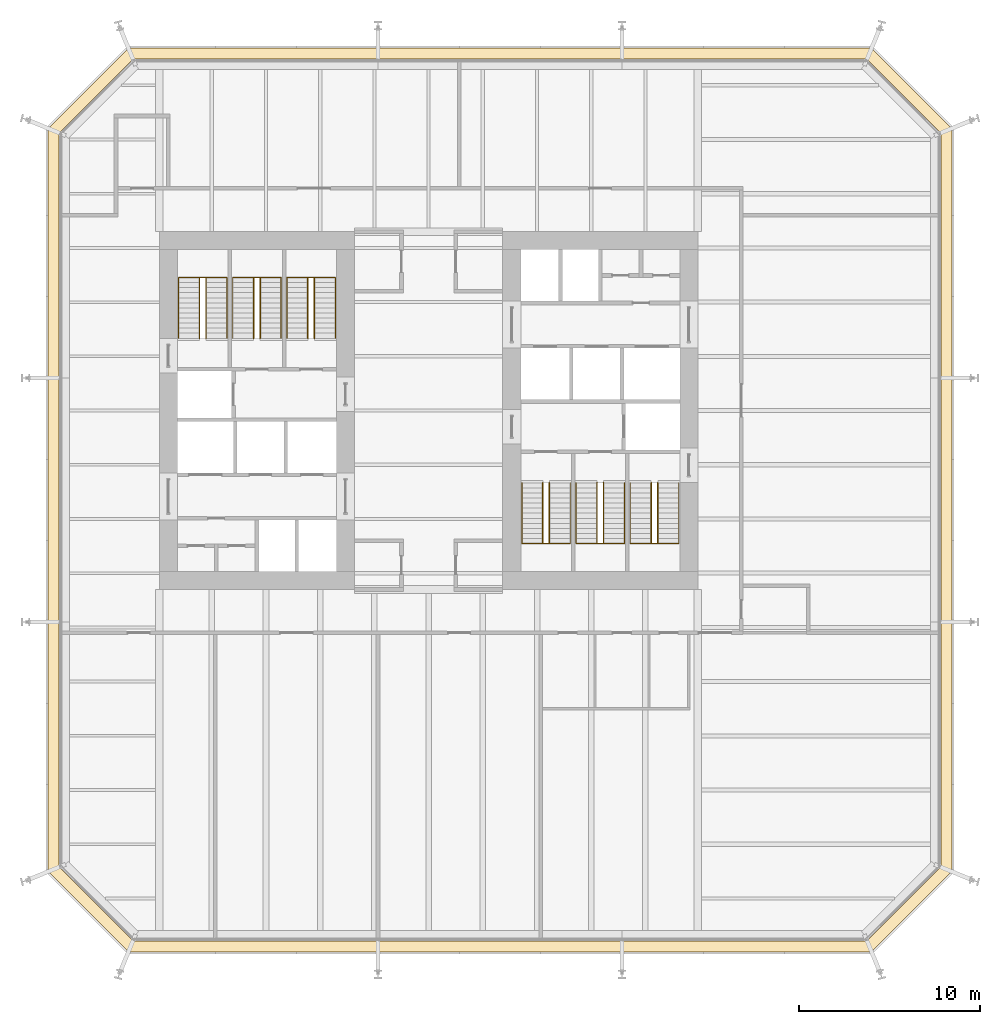
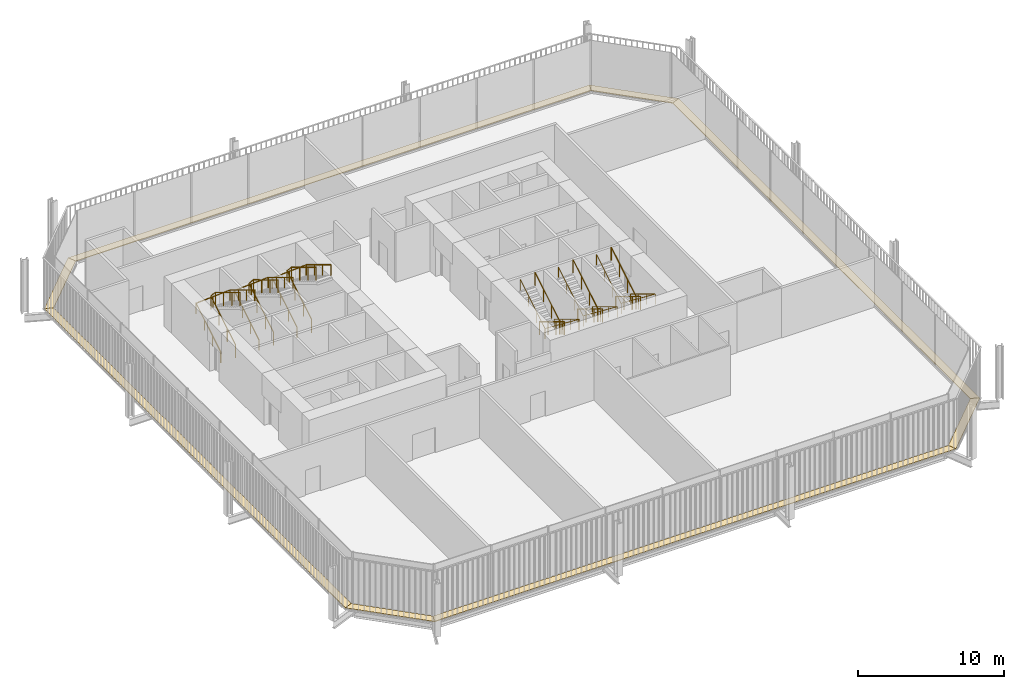
# One storey, part 20 of 20: 12 railings, 8 coverings.
"""IFC4 building model written with IfcOpenShell, lengths in metres."""

from ifc_helpers import new_model, si_unit, direction, frame, origin, origin_2d, place, context, subcontext, project, spatial, polyline, circle, outline, extrude, material, layer, layer_set, type_object, element, save


model = new_model("IFC4")

# Units and contexts
model_context = context("Model", 3, precision=1e-05, world=origin(), true_north=direction((0.0, 1.0)))
body_context = subcontext(model_context, "Body", "Model", "MODEL_VIEW")
ifc_project = project(units=[si_unit("LENGTHUNIT", "METRE"), si_unit("AREAUNIT", "SQUARE_METRE"), si_unit("VOLUMEUNIT", "CUBIC_METRE"), si_unit("PLANEANGLEUNIT", "RADIAN"), si_unit("MASSUNIT", "GRAM", prefix="KILO")], contexts=[model_context])

# Site, building, storey
site_placement = place(None, origin())
site = spatial("IfcSite", under=ifc_project, at=site_placement, CompositionType="ELEMENT")
building_placement = place(site_placement, origin())
building = spatial("IfcBuilding", under=site, at=building_placement, Name="Millrace Tower", CompositionType="ELEMENT")
storey_placement = place(building_placement, frame((0.0, 0.0, 108.39990234375)))
storey = spatial("IfcBuildingStorey", under=building, at=storey_placement, Name="L24", CompositionType="ELEMENT", Elevation=108.39990234375)

# Coverings
ifc_material_1 = material(Name="Steel ASTM A36", Category="steel")
ifc_layer = layer(ifc_material_1, 0.050048828125)
ifc_layer_set = layer_set([ifc_layer], Name="Steel ASTM A36")
covering_type = type_object("IfcCoveringType", Name="CAVITY CATWALK steel grating", PredefinedType="FLOORING", material=ifc_layer_set)
placement = place(storey_placement, frame((0.0, 0.0, 0.10009765625)))
element("IfcCovering", 1, at=placement, inside=storey, type_object=covering_type, Name="Cavity catwalk grating B-F01 L24 1", PredefinedType="FLOORING", context=body_context, shape_type="SweptSolid", body=[
    extrude(outline(polyline([(-21.050048828125, -25.5107421875), (-16.610595703125, -29.949951171875), (-16.362060546875, -29.35009765625), (-20.449951171875, -25.26220703125), (-21.050048828125, -25.5107421875)])), origin(), (0.0, 0.0, 1.0), 0.050048828125),
])
element("IfcCovering", 2, at=placement, inside=storey, type_object=covering_type, Name="Cavity catwalk grating B-F02 L24 1", PredefinedType="FLOORING", context=body_context, shape_type="SweptSolid", body=[
    extrude(outline(polyline([(-16.610595703125, -29.949951171875), (24.5107421875, -29.949951171875), (24.26220703125, -29.35009765625), (-16.362060546875, -29.35009765625), (-16.610595703125, -29.949951171875)])), origin(), (0.0, 0.0, 1.0), 0.050048828125),
])
element("IfcCovering", 3, at=placement, inside=storey, type_object=covering_type, Name="Cavity catwalk grating B-F03 L24 1", PredefinedType="FLOORING", context=body_context, shape_type="SweptSolid", body=[
    extrude(outline(polyline([(24.5107421875, -29.949951171875), (28.949951171875, -25.5107421875), (28.35009765625, -25.26220703125), (24.26220703125, -29.35009765625), (24.5107421875, -29.949951171875)])), origin(), (0.0, 0.0, 1.0), 0.050048828125),
])
element("IfcCovering", 4, at=placement, inside=storey, type_object=covering_type, Name="Cavity catwalk grating B-F04 L24 1", PredefinedType="FLOORING", context=body_context, shape_type="SweptSolid", body=[
    extrude(outline(polyline([(28.949951171875, -25.5107421875), (28.949951171875, 15.610595703125), (28.35009765625, 15.362060546875), (28.35009765625, -25.26220703125), (28.949951171875, -25.5107421875)])), origin(), (0.0, 0.0, 1.0), 0.050048828125),
])
element("IfcCovering", 5, at=placement, inside=storey, type_object=covering_type, Name="Cavity catwalk grating B-F05 L24 1", PredefinedType="FLOORING", context=body_context, shape_type="SweptSolid", body=[
    extrude(outline(polyline([(28.949951171875, 15.610595703125), (24.5107421875, 20.050048828125), (24.26220703125, 19.449951171875), (28.35009765625, 15.362060546875), (28.949951171875, 15.610595703125)])), origin(), (0.0, 0.0, 1.0), 0.050048828125),
])
element("IfcCovering", 6, at=placement, inside=storey, type_object=covering_type, Name="Cavity catwalk grating B-F06 L24 1", PredefinedType="FLOORING", context=body_context, shape_type="SweptSolid", body=[
    extrude(outline(polyline([(24.5107421875, 20.050048828125), (-16.610595703125, 20.050048828125), (-16.362060546875, 19.449951171875), (24.26220703125, 19.449951171875), (24.5107421875, 20.050048828125)])), origin(), (0.0, 0.0, 1.0), 0.050048828125),
])
element("IfcCovering", 7, at=placement, inside=storey, type_object=covering_type, Name="Cavity catwalk grating B-F07 L24 1", PredefinedType="FLOORING", context=body_context, shape_type="SweptSolid", body=[
    extrude(outline(polyline([(-16.610595703125, 20.050048828125), (-21.050048828125, 15.610595703125), (-20.449951171875, 15.362060546875), (-16.362060546875, 19.449951171875), (-16.610595703125, 20.050048828125)])), origin(), (0.0, 0.0, 1.0), 0.050048828125),
])
element("IfcCovering", 8, at=placement, inside=storey, type_object=covering_type, Name="Cavity catwalk grating B-F08 L24 1", PredefinedType="FLOORING", context=body_context, shape_type="SweptSolid", body=[
    extrude(outline(polyline([(-21.050048828125, 15.610595703125), (-21.050048828125, -25.5107421875), (-20.449951171875, -25.26220703125), (-20.449951171875, 15.362060546875), (-21.050048828125, 15.610595703125)])), origin(), (0.0, 0.0, 1.0), 0.050048828125),
])

# Railings
ifc_material_2 = material(Name="Stainless steel ASTM A240 type 316", Category="steel")
railing_type_1 = type_object("IfcRailingType", Name="Stair guard 1100", PredefinedType="GUARDRAIL", material=ifc_material_2)
for number, where, name in (
    (9, (-12.679931640625, 4.0, 0.169189453125), "Stair guard 1 W L24"),
    (10, (-9.679931640625, 4.0, 0.169189453125), "Stair guard 2 W L24"),
    (11, (-6.679931640625, 4.0, 0.169189453125), "Stair guard 3 W L24"),
):
    element("IfcRailing", number, at=place(storey_placement, frame(where)), inside=storey, type_object=railing_type_1, Name=name, PredefinedType="GUARDRAIL", context=body_context, shape_type="SweptSolid", body=[
        extrude(circle(Radius=0.02392578125, at=origin_2d()), frame((0.0, 0.0, 1.076171875), z_axis=(0.0, 0.855809448938, 0.517291201461), x_axis=(-1.0, 0.0, 0.0)), (0.0, 0.0, 1.0), 3.92626953125),
        extrude(circle(Radius=0.02392578125, at=origin_2d()), frame((0.0, 3.360107421875, 3.10693359375), z_axis=(0.904971698027, 0.0, 0.425471768475), x_axis=(0.0, 1.0, 0.0)), (0.0, 0.0, 1.0), 0.397705078125),
        extrude(circle(Radius=0.02392578125, at=origin_2d()), frame((0.35986328125, 3.360107421875, 3.2763671875), z_axis=(0.0, -0.855836976705, 0.517245656632), x_axis=(1.0, 0.0, 0.0)), (0.0, 0.0, 1.0), 3.926025390625),
        extrude(circle(Radius=0.02099609375, at=origin_2d()), origin(), (0.0, 0.0, 1.0), 1.052001953125),
        extrude(circle(Radius=0.02099609375, at=origin_2d()), frame((0.0, 1.1201171875, 0.677001953125)), (0.0, 0.0, 1.0), 1.052001953125),
        extrude(circle(Radius=0.02099609375, at=origin_2d()), frame((0.0, 2.239990234375, 1.35400390625)), (0.0, 0.0, 1.0), 1.052001953125),
        extrude(circle(Radius=0.02099609375, at=origin_2d()), frame((0.0, 3.360107421875, 2.031005859375)), (0.0, 0.0, 1.0), 1.052001953125),
        extrude(circle(Radius=0.02099609375, at=origin_2d()), frame((0.35986328125, 3.360107421875, 2.2001953125)), (0.0, 0.0, 1.0), 1.052001953125),
        extrude(circle(Radius=0.02099609375, at=origin_2d()), frame((0.35986328125, 2.239990234375, 2.877197265625)), (0.0, 0.0, 1.0), 1.052001953125),
        extrude(circle(Radius=0.02099609375, at=origin_2d()), frame((0.35986328125, 1.1201171875, 3.553955078125)), (0.0, 0.0, 1.0), 1.052001953125),
        extrude(circle(Radius=0.02099609375, at=origin_2d()), frame((0.35986328125, 0.0, 4.23095703125)), (0.0, 0.0, 1.0), 1.052001953125),
    ])
for number, where, name in (
    (12, (12.679931640625, -4.0, 0.169189453125), "Stair guard 1 E L24"),
    (13, (9.679931640625, -4.0, 0.169189453125), "Stair guard 2 E L24"),
    (14, (6.679931640625, -4.0, 0.169189453125), "Stair guard 3 E L24"),
):
    element("IfcRailing", number, at=place(storey_placement, frame(where)), inside=storey, type_object=railing_type_1, Name=name, PredefinedType="GUARDRAIL", context=body_context, shape_type="SweptSolid", body=[
        extrude(circle(Radius=0.02392578125, at=origin_2d()), frame((0.0, 0.0, 1.076171875), z_axis=(0.0, -0.855809448938, 0.517291201461), x_axis=(1.0, 0.0, 0.0)), (0.0, 0.0, 1.0), 3.92626953125),
        extrude(circle(Radius=0.02392578125, at=origin_2d()), frame((0.0, -3.360107421875, 3.10693359375), z_axis=(-0.904971698027, 0.0, 0.425471768475), x_axis=(0.0, -1.0, 0.0)), (0.0, 0.0, 1.0), 0.397705078125),
        extrude(circle(Radius=0.02392578125, at=origin_2d()), frame((-0.35986328125, -3.360107421875, 3.2763671875), z_axis=(0.0, 0.855836976705, 0.517245656632), x_axis=(-1.0, 0.0, 0.0)), (0.0, 0.0, 1.0), 3.926025390625),
        extrude(circle(Radius=0.02099609375, at=origin_2d()), origin(), (0.0, 0.0, 1.0), 1.052001953125),
        extrude(circle(Radius=0.02099609375, at=origin_2d()), frame((0.0, -1.1201171875, 0.677001953125)), (0.0, 0.0, 1.0), 1.052001953125),
        extrude(circle(Radius=0.02099609375, at=origin_2d()), frame((0.0, -2.239990234375, 1.35400390625)), (0.0, 0.0, 1.0), 1.052001953125),
        extrude(circle(Radius=0.02099609375, at=origin_2d()), frame((0.0, -3.360107421875, 2.031005859375)), (0.0, 0.0, 1.0), 1.052001953125),
        extrude(circle(Radius=0.02099609375, at=origin_2d()), frame((-0.35986328125, -3.360107421875, 2.2001953125)), (0.0, 0.0, 1.0), 1.052001953125),
        extrude(circle(Radius=0.02099609375, at=origin_2d()), frame((-0.35986328125, -2.239990234375, 2.877197265625)), (0.0, 0.0, 1.0), 1.052001953125),
        extrude(circle(Radius=0.02099609375, at=origin_2d()), frame((-0.35986328125, -1.1201171875, 3.553955078125)), (0.0, 0.0, 1.0), 1.052001953125),
        extrude(circle(Radius=0.02099609375, at=origin_2d()), frame((-0.35986328125, 0.0, 4.23095703125)), (0.0, 0.0, 1.0), 1.052001953125),
    ])
ifc_material_3 = material(Name="Stainless steel ASTM A240 type 316", Category="steel")
railing_type_2 = type_object("IfcRailingType", Name="Stair handrail 900", PredefinedType="HANDRAIL", material=ifc_material_3)
railing_1_placement = place(storey_placement, frame((-13.840087890625, 4.0, 0.169189453125)))
element("IfcRailing", 15, at=railing_1_placement, inside=storey, type_object=railing_type_2, Name="Stair handrail 1 W L24", PredefinedType="HANDRAIL", context=body_context, shape_type="SweptSolid", body=[
    extrude(circle(Radius=0.02392578125, at=origin_2d()), frame((0.0, 0.0, 0.8759765625), z_axis=(0.0, 0.855809448938, 0.517291201461), x_axis=(-1.0, 0.0, 0.0)), (0.0, 0.0, 1.0), 3.92626953125),
    extrude(circle(Radius=0.02392578125, at=origin_2d()), frame((0.0, 3.360107421875, 2.90673828125), z_axis=(0.998013473273, 0.0, 0.063000850517), x_axis=(0.0, 1.0, 0.0)), (0.0, 0.0, 1.0), 2.685546875),
    extrude(circle(Radius=0.02392578125, at=origin_2d()), frame((2.68017578125, 3.360107421875, 3.076171875), z_axis=(0.0, -0.855836976705, 0.517245656632), x_axis=(1.0, 0.0, 0.0)), (0.0, 0.0, 1.0), 3.926025390625),
    extrude(circle(Radius=0.02099609375, at=origin_2d()), origin(), (0.0, 0.0, 1.0), 0.851806640625),
    extrude(circle(Radius=0.02099609375, at=origin_2d()), frame((0.0, 1.1201171875, 0.677001953125)), (0.0, 0.0, 1.0), 0.851806640625),
    extrude(circle(Radius=0.02099609375, at=origin_2d()), frame((0.0, 2.239990234375, 1.35400390625)), (0.0, 0.0, 1.0), 0.851806640625),
    extrude(circle(Radius=0.02099609375, at=origin_2d()), frame((0.0, 3.360107421875, 2.031005859375)), (0.0, 0.0, 1.0), 0.851806640625),
    extrude(circle(Radius=0.02099609375, at=origin_2d()), frame((1.340087890625, 3.360107421875, 2.11572265625)), (0.0, 0.0, 1.0), 0.851806640625),
    extrude(circle(Radius=0.02099609375, at=origin_2d()), frame((2.68017578125, 3.360107421875, 2.2001953125)), (0.0, 0.0, 1.0), 0.851806640625),
    extrude(circle(Radius=0.02099609375, at=origin_2d()), frame((2.68017578125, 2.239990234375, 2.877197265625)), (0.0, 0.0, 1.0), 0.851806640625),
    extrude(circle(Radius=0.02099609375, at=origin_2d()), frame((2.68017578125, 1.1201171875, 3.553955078125)), (0.0, 0.0, 1.0), 0.851806640625),
    extrude(circle(Radius=0.02099609375, at=origin_2d()), frame((2.68017578125, 0.0, 4.23095703125)), (0.0, 0.0, 1.0), 0.851806640625),
])
railing_2_placement = place(storey_placement, frame((-10.840087890625, 4.0, 0.169189453125)))
element("IfcRailing", 16, at=railing_2_placement, inside=storey, type_object=railing_type_2, Name="Stair handrail 2 W L24", PredefinedType="HANDRAIL", context=body_context, shape_type="SweptSolid", body=[
    extrude(circle(Radius=0.02392578125, at=origin_2d()), frame((0.0, 0.0, 0.8759765625), z_axis=(0.0, 0.855809448938, 0.517291201461), x_axis=(-1.0, 0.0, 0.0)), (0.0, 0.0, 1.0), 3.92626953125),
    extrude(circle(Radius=0.02392578125, at=origin_2d()), frame((0.0, 3.360107421875, 2.90673828125), z_axis=(0.998013473273, 0.0, 0.063000850517), x_axis=(0.0, 1.0, 0.0)), (0.0, 0.0, 1.0), 2.685546875),
    extrude(circle(Radius=0.02392578125, at=origin_2d()), frame((2.68017578125, 3.360107421875, 3.076171875), z_axis=(0.0, -0.855836976705, 0.517245656632), x_axis=(1.0, 0.0, 0.0)), (0.0, 0.0, 1.0), 3.926025390625),
    extrude(circle(Radius=0.02099609375, at=origin_2d()), origin(), (0.0, 0.0, 1.0), 0.851806640625),
    extrude(circle(Radius=0.02099609375, at=origin_2d()), frame((0.0, 1.1201171875, 0.677001953125)), (0.0, 0.0, 1.0), 0.851806640625),
    extrude(circle(Radius=0.02099609375, at=origin_2d()), frame((0.0, 2.239990234375, 1.35400390625)), (0.0, 0.0, 1.0), 0.851806640625),
    extrude(circle(Radius=0.02099609375, at=origin_2d()), frame((0.0, 3.360107421875, 2.031005859375)), (0.0, 0.0, 1.0), 0.851806640625),
    extrude(circle(Radius=0.02099609375, at=origin_2d()), frame((1.340087890625, 3.360107421875, 2.11572265625)), (0.0, 0.0, 1.0), 0.851806640625),
    extrude(circle(Radius=0.02099609375, at=origin_2d()), frame((2.68017578125, 3.360107421875, 2.2001953125)), (0.0, 0.0, 1.0), 0.851806640625),
    extrude(circle(Radius=0.02099609375, at=origin_2d()), frame((2.68017578125, 2.239990234375, 2.877197265625)), (0.0, 0.0, 1.0), 0.851806640625),
    extrude(circle(Radius=0.02099609375, at=origin_2d()), frame((2.68017578125, 1.1201171875, 3.553955078125)), (0.0, 0.0, 1.0), 0.851806640625),
    extrude(circle(Radius=0.02099609375, at=origin_2d()), frame((2.68017578125, 0.0, 4.23095703125)), (0.0, 0.0, 1.0), 0.851806640625),
])
railing_3_placement = place(storey_placement, frame((-7.840087890625, 4.0, 0.169189453125)))
element("IfcRailing", 17, at=railing_3_placement, inside=storey, type_object=railing_type_2, Name="Stair handrail 3 W L24", PredefinedType="HANDRAIL", context=body_context, shape_type="SweptSolid", body=[
    extrude(circle(Radius=0.02392578125, at=origin_2d()), frame((0.0, 0.0, 0.8759765625), z_axis=(0.0, 0.855809448938, 0.517291201461), x_axis=(-1.0, 0.0, 0.0)), (0.0, 0.0, 1.0), 3.92626953125),
    extrude(circle(Radius=0.02392578125, at=origin_2d()), frame((0.0, 3.360107421875, 2.90673828125), z_axis=(0.998013473273, 0.0, 0.063000850517), x_axis=(0.0, 1.0, 0.0)), (0.0, 0.0, 1.0), 2.685546875),
    extrude(circle(Radius=0.02392578125, at=origin_2d()), frame((2.68017578125, 3.360107421875, 3.076171875), z_axis=(0.0, -0.855836976705, 0.517245656632), x_axis=(1.0, 0.0, 0.0)), (0.0, 0.0, 1.0), 3.926025390625),
    extrude(circle(Radius=0.02099609375, at=origin_2d()), origin(), (0.0, 0.0, 1.0), 0.851806640625),
    extrude(circle(Radius=0.02099609375, at=origin_2d()), frame((0.0, 1.1201171875, 0.677001953125)), (0.0, 0.0, 1.0), 0.851806640625),
    extrude(circle(Radius=0.02099609375, at=origin_2d()), frame((0.0, 2.239990234375, 1.35400390625)), (0.0, 0.0, 1.0), 0.851806640625),
    extrude(circle(Radius=0.02099609375, at=origin_2d()), frame((0.0, 3.360107421875, 2.031005859375)), (0.0, 0.0, 1.0), 0.851806640625),
    extrude(circle(Radius=0.02099609375, at=origin_2d()), frame((1.340087890625, 3.360107421875, 2.11572265625)), (0.0, 0.0, 1.0), 0.851806640625),
    extrude(circle(Radius=0.02099609375, at=origin_2d()), frame((2.68017578125, 3.360107421875, 2.2001953125)), (0.0, 0.0, 1.0), 0.851806640625),
    extrude(circle(Radius=0.02099609375, at=origin_2d()), frame((2.68017578125, 2.239990234375, 2.877197265625)), (0.0, 0.0, 1.0), 0.851806640625),
    extrude(circle(Radius=0.02099609375, at=origin_2d()), frame((2.68017578125, 1.1201171875, 3.553955078125)), (0.0, 0.0, 1.0), 0.851806640625),
    extrude(circle(Radius=0.02099609375, at=origin_2d()), frame((2.68017578125, 0.0, 4.23095703125)), (0.0, 0.0, 1.0), 0.851806640625),
])
railing_4_placement = place(storey_placement, frame((13.840087890625, -4.0, 0.169189453125)))
element("IfcRailing", 18, at=railing_4_placement, inside=storey, type_object=railing_type_2, Name="Stair handrail 1 E L24", PredefinedType="HANDRAIL", context=body_context, shape_type="SweptSolid", body=[
    extrude(circle(Radius=0.02392578125, at=origin_2d()), frame((0.0, 0.0, 0.8759765625), z_axis=(0.0, -0.855809448938, 0.517291201461), x_axis=(1.0, 0.0, 0.0)), (0.0, 0.0, 1.0), 3.92626953125),
    extrude(circle(Radius=0.02392578125, at=origin_2d()), frame((0.0, -3.360107421875, 2.90673828125), z_axis=(-0.998013473273, 0.0, 0.063000850517), x_axis=(0.0, -1.0, 0.0)), (0.0, 0.0, 1.0), 2.685546875),
    extrude(circle(Radius=0.02392578125, at=origin_2d()), frame((-2.68017578125, -3.360107421875, 3.076171875), z_axis=(0.0, 0.855836976705, 0.517245656632), x_axis=(-1.0, 0.0, 0.0)), (0.0, 0.0, 1.0), 3.926025390625),
    extrude(circle(Radius=0.02099609375, at=origin_2d()), origin(), (0.0, 0.0, 1.0), 0.851806640625),
    extrude(circle(Radius=0.02099609375, at=origin_2d()), frame((0.0, -1.1201171875, 0.677001953125)), (0.0, 0.0, 1.0), 0.851806640625),
    extrude(circle(Radius=0.02099609375, at=origin_2d()), frame((0.0, -2.239990234375, 1.35400390625)), (0.0, 0.0, 1.0), 0.851806640625),
    extrude(circle(Radius=0.02099609375, at=origin_2d()), frame((0.0, -3.360107421875, 2.031005859375)), (0.0, 0.0, 1.0), 0.851806640625),
    extrude(circle(Radius=0.02099609375, at=origin_2d()), frame((-1.340087890625, -3.360107421875, 2.11572265625)), (0.0, 0.0, 1.0), 0.851806640625),
    extrude(circle(Radius=0.02099609375, at=origin_2d()), frame((-2.68017578125, -3.360107421875, 2.2001953125)), (0.0, 0.0, 1.0), 0.851806640625),
    extrude(circle(Radius=0.02099609375, at=origin_2d()), frame((-2.68017578125, -2.239990234375, 2.877197265625)), (0.0, 0.0, 1.0), 0.851806640625),
    extrude(circle(Radius=0.02099609375, at=origin_2d()), frame((-2.68017578125, -1.1201171875, 3.553955078125)), (0.0, 0.0, 1.0), 0.851806640625),
    extrude(circle(Radius=0.02099609375, at=origin_2d()), frame((-2.68017578125, 0.0, 4.23095703125)), (0.0, 0.0, 1.0), 0.851806640625),
])
railing_5_placement = place(storey_placement, frame((10.840087890625, -4.0, 0.169189453125)))
element("IfcRailing", 19, at=railing_5_placement, inside=storey, type_object=railing_type_2, Name="Stair handrail 2 E L24", PredefinedType="HANDRAIL", context=body_context, shape_type="SweptSolid", body=[
    extrude(circle(Radius=0.02392578125, at=origin_2d()), frame((0.0, 0.0, 0.8759765625), z_axis=(0.0, -0.855809448938, 0.517291201461), x_axis=(1.0, 0.0, 0.0)), (0.0, 0.0, 1.0), 3.92626953125),
    extrude(circle(Radius=0.02392578125, at=origin_2d()), frame((0.0, -3.360107421875, 2.90673828125), z_axis=(-0.998013473273, 0.0, 0.063000850517), x_axis=(0.0, -1.0, 0.0)), (0.0, 0.0, 1.0), 2.685546875),
    extrude(circle(Radius=0.02392578125, at=origin_2d()), frame((-2.68017578125, -3.360107421875, 3.076171875), z_axis=(0.0, 0.855836976705, 0.517245656632), x_axis=(-1.0, 0.0, 0.0)), (0.0, 0.0, 1.0), 3.926025390625),
    extrude(circle(Radius=0.02099609375, at=origin_2d()), origin(), (0.0, 0.0, 1.0), 0.851806640625),
    extrude(circle(Radius=0.02099609375, at=origin_2d()), frame((0.0, -1.1201171875, 0.677001953125)), (0.0, 0.0, 1.0), 0.851806640625),
    extrude(circle(Radius=0.02099609375, at=origin_2d()), frame((0.0, -2.239990234375, 1.35400390625)), (0.0, 0.0, 1.0), 0.851806640625),
    extrude(circle(Radius=0.02099609375, at=origin_2d()), frame((0.0, -3.360107421875, 2.031005859375)), (0.0, 0.0, 1.0), 0.851806640625),
    extrude(circle(Radius=0.02099609375, at=origin_2d()), frame((-1.340087890625, -3.360107421875, 2.11572265625)), (0.0, 0.0, 1.0), 0.851806640625),
    extrude(circle(Radius=0.02099609375, at=origin_2d()), frame((-2.68017578125, -3.360107421875, 2.2001953125)), (0.0, 0.0, 1.0), 0.851806640625),
    extrude(circle(Radius=0.02099609375, at=origin_2d()), frame((-2.68017578125, -2.239990234375, 2.877197265625)), (0.0, 0.0, 1.0), 0.851806640625),
    extrude(circle(Radius=0.02099609375, at=origin_2d()), frame((-2.68017578125, -1.1201171875, 3.553955078125)), (0.0, 0.0, 1.0), 0.851806640625),
    extrude(circle(Radius=0.02099609375, at=origin_2d()), frame((-2.68017578125, 0.0, 4.23095703125)), (0.0, 0.0, 1.0), 0.851806640625),
])
railing_6_placement = place(storey_placement, frame((7.840087890625, -4.0, 0.169189453125)))
element("IfcRailing", 20, at=railing_6_placement, inside=storey, type_object=railing_type_2, Name="Stair handrail 3 E L24", PredefinedType="HANDRAIL", context=body_context, shape_type="SweptSolid", body=[
    extrude(circle(Radius=0.02392578125, at=origin_2d()), frame((0.0, 0.0, 0.8759765625), z_axis=(0.0, -0.855809448938, 0.517291201461), x_axis=(1.0, 0.0, 0.0)), (0.0, 0.0, 1.0), 3.92626953125),
    extrude(circle(Radius=0.02392578125, at=origin_2d()), frame((0.0, -3.360107421875, 2.90673828125), z_axis=(-0.998013473273, 0.0, 0.063000850517), x_axis=(0.0, -1.0, 0.0)), (0.0, 0.0, 1.0), 2.685546875),
    extrude(circle(Radius=0.02392578125, at=origin_2d()), frame((-2.68017578125, -3.360107421875, 3.076171875), z_axis=(0.0, 0.855836976705, 0.517245656632), x_axis=(-1.0, 0.0, 0.0)), (0.0, 0.0, 1.0), 3.926025390625),
    extrude(circle(Radius=0.02099609375, at=origin_2d()), origin(), (0.0, 0.0, 1.0), 0.851806640625),
    extrude(circle(Radius=0.02099609375, at=origin_2d()), frame((0.0, -1.1201171875, 0.677001953125)), (0.0, 0.0, 1.0), 0.851806640625),
    extrude(circle(Radius=0.02099609375, at=origin_2d()), frame((0.0, -2.239990234375, 1.35400390625)), (0.0, 0.0, 1.0), 0.851806640625),
    extrude(circle(Radius=0.02099609375, at=origin_2d()), frame((0.0, -3.360107421875, 2.031005859375)), (0.0, 0.0, 1.0), 0.851806640625),
    extrude(circle(Radius=0.02099609375, at=origin_2d()), frame((-1.340087890625, -3.360107421875, 2.11572265625)), (0.0, 0.0, 1.0), 0.851806640625),
    extrude(circle(Radius=0.02099609375, at=origin_2d()), frame((-2.68017578125, -3.360107421875, 2.2001953125)), (0.0, 0.0, 1.0), 0.851806640625),
    extrude(circle(Radius=0.02099609375, at=origin_2d()), frame((-2.68017578125, -2.239990234375, 2.877197265625)), (0.0, 0.0, 1.0), 0.851806640625),
    extrude(circle(Radius=0.02099609375, at=origin_2d()), frame((-2.68017578125, -1.1201171875, 3.553955078125)), (0.0, 0.0, 1.0), 0.851806640625),
    extrude(circle(Radius=0.02099609375, at=origin_2d()), frame((-2.68017578125, 0.0, 4.23095703125)), (0.0, 0.0, 1.0), 0.851806640625),
])

save(model, "model.ifc")
